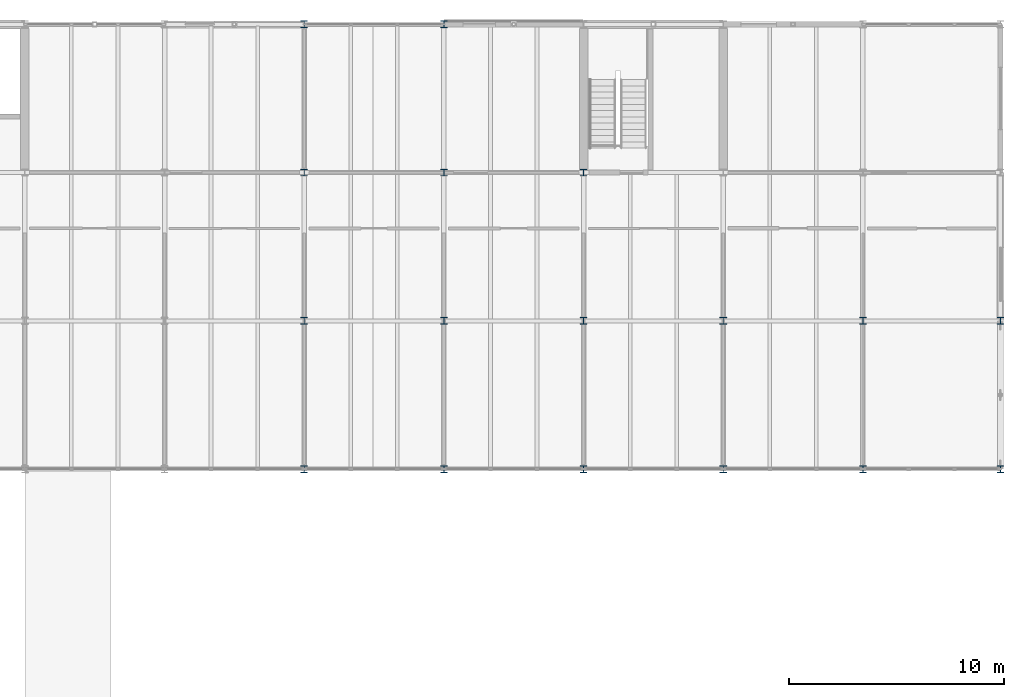
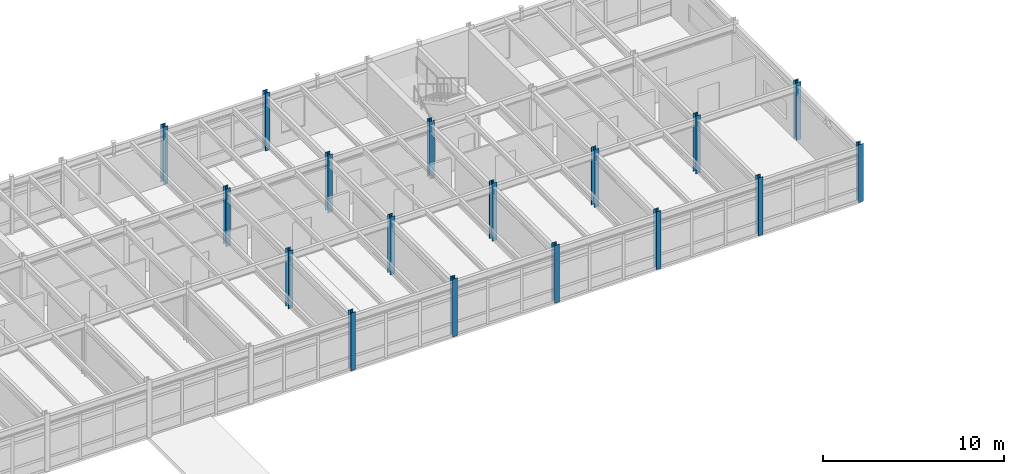
# One storey, part 12 of 49: 17 columns.
"""IFC4 building model written with IfcOpenShell, lengths in metres."""

from ifc_helpers import new_model, si_unit, direction, frame, origin, origin_2d, place, context, subcontext, project, spatial, i_section, extrude, material, material_profile, profile_set, type_object, element, save


model = new_model("IFC4")

# Units and contexts
model_context = context("Model", 3, precision=1e-05, world=origin(), true_north=direction((0.0, 1.0)))
body_context = subcontext(model_context, "Body", "Model", "MODEL_VIEW")
ifc_project = project(units=[si_unit("LENGTHUNIT", "METRE"), si_unit("AREAUNIT", "SQUARE_METRE"), si_unit("VOLUMEUNIT", "CUBIC_METRE"), si_unit("PLANEANGLEUNIT", "RADIAN"), si_unit("MASSUNIT", "GRAM", prefix="KILO")], contexts=[model_context])

# Site, building, storey
site_placement = place(None, origin())
site = spatial("IfcSite", under=ifc_project, at=site_placement, CompositionType="ELEMENT")
building_placement = place(site_placement, origin())
building = spatial("IfcBuilding", under=site, at=building_placement, Name="Trelmorton Wharf Fire Station", CompositionType="ELEMENT")
storey_placement = place(building_placement, frame((0.0, 0.0, 9.60009765625)))
storey = spatial("IfcBuildingStorey", under=building, at=storey_placement, Name="L02", CompositionType="ELEMENT", Elevation=9.60009765625)

# Columns
ifc_material = material(Name="Steel Grade 350", Category="steel")
ifc_material_profile = material_profile(ifc_material, i_section(OverallWidth=0.306884765625, OverallDepth=0.31494140625, WebThickness=0.011962890625, FlangeThickness=0.018798828125, FilletRadius=0.0166015625, at=origin_2d()), Name="310UC118")
ifc_profile_set = profile_set([ifc_material_profile], Name="Steel Grade 350")
column_type = type_object("IfcColumnType", Name="COL_310UC118", PredefinedType="COLUMN", material=ifc_profile_set)
for number, where, z_axis, x_axis, name in (
    (1, (130.0, 60.300048828125, 0.0), (0.0, 0.0, 1.0), (1.0, 0.0, 0.0), "COL-L02-0540"),
    (2, (130.0, 67.199951171875, 0.0), (0.0, 0.0, 1.0), (1.0, 0.0, 0.0), "COL-L02-0541"),
    (3, (130.0, 74.10009765625, 0.0), (0.0, 0.0, 1.0), (1.0, 0.0, 0.0), "COL-L02-0542"),
    (4, (130.0, 81.0, 0.0), (0.0, 0.0, 1.0), (1.0, 0.0, 0.0), "COL-L02-0543"),
    (5, (136.5, 60.300048828125, 0.0), (0.0, 0.0, 1.0), (1.0, 0.0, 0.0), "COL-L02-0548"),
    (6, (136.5, 67.199951171875, 0.0), (0.0, 0.0, 1.0), (1.0, 0.0, 0.0), "COL-L02-0549"),
    (7, (136.5, 74.10009765625, 0.0), (0.0, 0.0, 1.0), (1.0, 0.0, 0.0), "COL-L02-0550"),
    (8, (136.5, 81.0, 0.0), (0.0, 0.0, 1.0), (1.0, 0.0, 0.0), "COL-L02-0551"),
    (9, (143.0, 60.300048828125, 0.0), (0.0, 0.0, 1.0), (1.0, 0.0, 0.0), "COL-L02-0556"),
    (10, (143.0, 67.199951171875, 0.0), (0.0, 0.0, 1.0), (1.0, 0.0, 0.0), "COL-L02-0557"),
    (11, (143.0, 74.10009765625, 0.0), (0.0, 0.0, 1.0), (1.0, 0.0, 0.0), "COL-L02-0558"),
    (12, (149.5, 60.300048828125, 0.0), (0.0, 0.0, 1.0), (1.0, 0.0, 0.0), "COL-L02-0564"),
    (13, (149.5, 67.199951171875, 0.0), (0.0, 0.0, 1.0), (1.0, 0.0, 0.0), "COL-L02-0565"),
    (14, (156.0, 60.300048828125, 0.0), (0.0, 0.0, 1.0), (1.0, 0.0, 0.0), "COL-L02-0572"),
    (15, (156.0, 67.199951171875, 0.0), (0.0, 0.0, 1.0), (1.0, 0.0, 0.0), "COL-L02-0573"),
    (16, (162.39990234375, 60.300048828125, 0.0), (0.0, 0.0, 1.0), (1.0, 0.0, 0.0), "COL-L02-0580"),
    (17, (162.39990234375, 67.199951171875, 0.0), (0.0, 0.0, 1.0), (1.0, 0.0, 0.0), "COL-L02-0581"),
):
    element("IfcColumn", number, at=place(storey_placement, frame(where, z_axis=z_axis, x_axis=x_axis)), inside=storey, type_object=column_type, Name=name, PredefinedType="COLUMN", context=body_context, shape_type="SweptSolid", body=[
        extrude(i_section(OverallWidth=0.306884765625, OverallDepth=0.31494140625, WebThickness=0.011962890625, FlangeThickness=0.018798828125, FilletRadius=0.0166015625, at=origin_2d()), origin(), (0.0, 0.0, 1.0), 3.89990234375),
    ])

save(model, "model.ifc")
